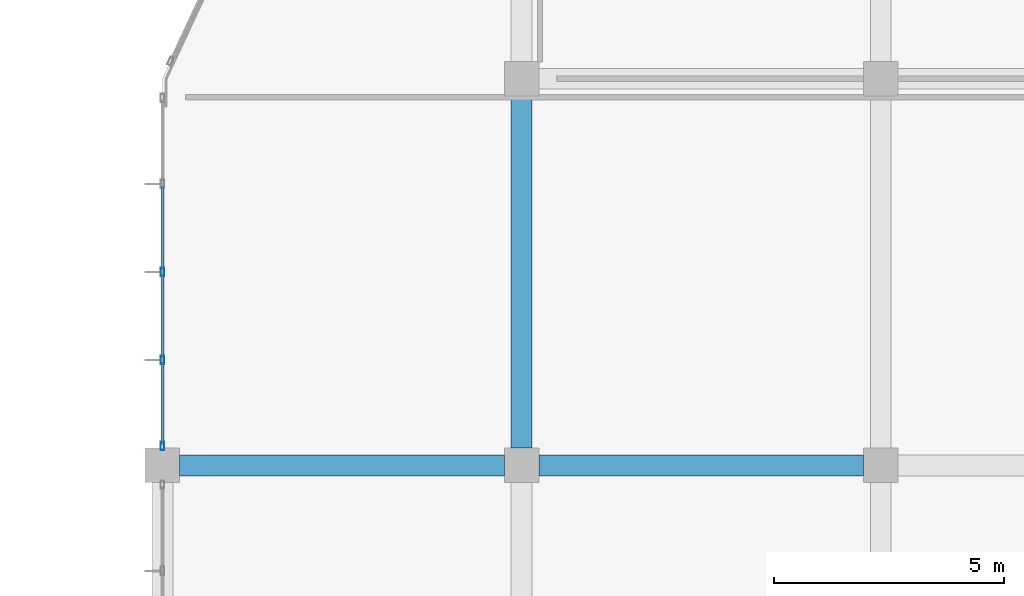
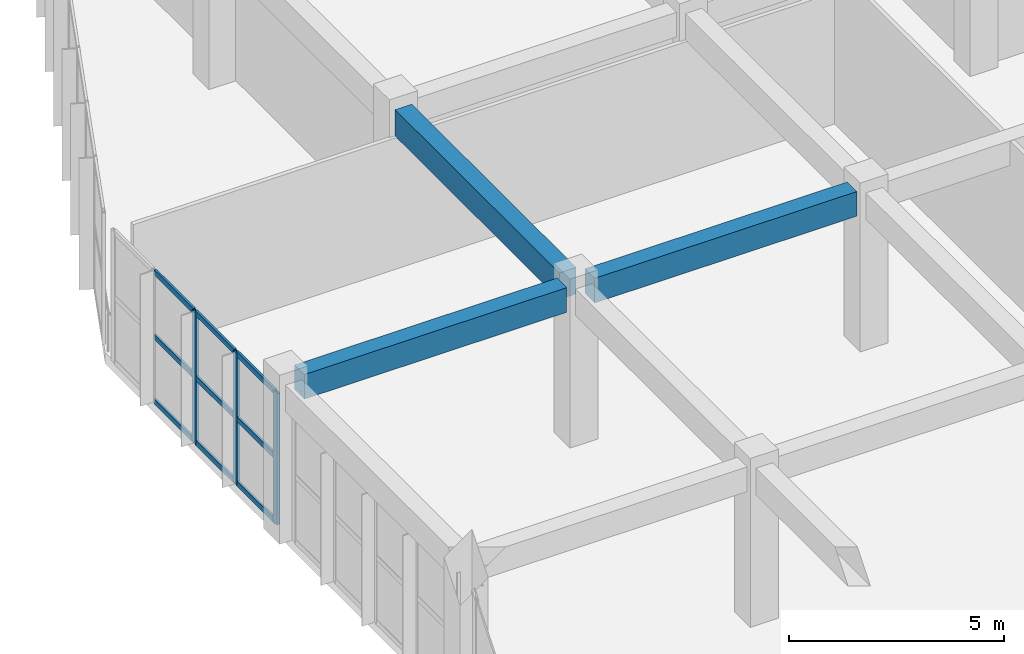
# One storey, part 18 of 167: 12 members, 3 beams, 1 element without a shape of its own.
"""IFC4 building model written with IfcOpenShell, lengths in metres."""

from ifc_helpers import new_model, si_unit, direction, frame, origin, origin_2d, place, context, subcontext, project, spatial, rectangle, hollow_rectangle, extrude, material, layer, layer_set, material_profile, profile_set, type_object, element, aggregate, save


model = new_model("IFC4")

# Units and contexts
model_context = context("Model", 3, precision=1e-05, world=origin(), true_north=direction((0.0, 1.0)))
body_context = subcontext(model_context, "Body", "Model", "MODEL_VIEW")
ifc_project = project(units=[si_unit("LENGTHUNIT", "METRE"), si_unit("AREAUNIT", "SQUARE_METRE"), si_unit("VOLUMEUNIT", "CUBIC_METRE"), si_unit("PLANEANGLEUNIT", "RADIAN"), si_unit("MASSUNIT", "GRAM", prefix="KILO")], contexts=[model_context])

# Site, building, storey
site_placement = place(None, origin())
site = spatial("IfcSite", under=ifc_project, at=site_placement, CompositionType="ELEMENT")
building_placement = place(site_placement, origin())
building = spatial("IfcBuilding", under=site, at=building_placement, Name="Zizhar Promenade General Hospital", CompositionType="ELEMENT")
storey_placement = place(building_placement, frame((0.0, 0.0, 9.60009765625)))
storey = spatial("IfcBuildingStorey", under=building, at=storey_placement, Name="L02", CompositionType="ELEMENT", Elevation=9.60009765625)

# Beams
ifc_material_1 = material(Name="Concrete C35/45", Category="concrete")
ifc_material_profile_1 = material_profile(ifc_material_1, rectangle(XDim=0.449951171875, YDim=0.699951171875, at=origin_2d()))
ifc_profile_set_1 = profile_set([ifc_material_profile_1], Name="Concrete C35/45")
beam_type_1 = type_object("IfcBeamType", Name="BM-RC-450x700", PredefinedType="BEAM", material=ifc_profile_set_1)
for number, where, z_axis, x_axis, name in (
    (1, (0.375, 42.0, 4.119873046875), (1.0, 0.0, 0.0), (0.0, 1.0, 0.0), "Grid Beam X L02 (0-5)"),
    (2, (8.175048828125, 42.0, 4.119873046875), (1.0, 0.0, 0.0), (0.0, 1.0, 0.0), "Grid Beam X L02 (1-5)"),
):
    element("IfcBeam", number, at=place(storey_placement, frame(where, z_axis=z_axis, x_axis=x_axis)), inside=storey, type_object=beam_type_1, Name=name, PredefinedType="BEAM", context=body_context, shape_type="SweptSolid", body=[
        extrude(rectangle(XDim=0.449951171875, YDim=0.699951171875, at=origin_2d()), origin(), (0.0, 0.0, 1.0), 7.050048828125),
    ])
ifc_material_2 = material(Name="Concrete C35/45", Category="concrete")
ifc_material_profile_2 = material_profile(ifc_material_2, rectangle(XDim=0.449951171875, YDim=0.75, at=origin_2d()))
ifc_profile_set_2 = profile_set([ifc_material_profile_2], Name="Concrete C35/45")
beam_type_2 = type_object("IfcBeamType", Name="BM-RC-450x750", PredefinedType="BEAM", material=ifc_profile_set_2)
beam_placement = place(storey_placement, frame((7.800048828125, 42.375, 4.094970703125), z_axis=(0.0, 1.0, 0.0), x_axis=(-1.0, 0.0, 0.0)))
element("IfcBeam", 3, at=beam_placement, inside=storey, type_object=beam_type_2, Name="Grid Beam Y L02 (1-5)", PredefinedType="BEAM", context=body_context, shape_type="SweptSolid", body=[
    extrude(rectangle(XDim=0.449951171875, YDim=0.75, at=origin_2d()), origin(), (0.0, 0.0, 1.0), 7.64990234375),
])

# Curtain wall, members
ifc_material_3 = material(Name="Anodised aluminium 6063-T6 and low-E glass", Category="aluminium")
ifc_layer = layer(ifc_material_3, 0.159912109375)
ifc_layer_set = layer_set([ifc_layer], Name="Anodised aluminium 6063-T6 and low-E glass")
curtain_wall_type = type_object("IfcCurtainWallType", Name="CW-ED-FRONT", PredefinedType="NOTDEFINED", material=ifc_layer_set)
curtain_wall_placement = place(storey_placement, origin())
curtain_wall = element("IfcCurtainWall", 4, at=curtain_wall_placement, inside=storey, type_object=curtain_wall_type, Name="West Diagnostic Arm Glazed Curtain Wall L02-W5", PredefinedType="NOTDEFINED")
ifc_material_4 = material(Name="Anodised aluminium 6063-T6", Category="aluminium")
ifc_material_profile_3 = material_profile(ifc_material_4, hollow_rectangle(XDim=0.080078125, YDim=0.179931640625, WallThickness=0.0048828125, at=origin_2d()))
ifc_profile_set_3 = profile_set([ifc_material_profile_3], Name="Anodised aluminium 6063-T6")
member_type_1 = type_object("IfcMemberType", Name="CWM-ALU-180x80", PredefinedType="MULLION", material=ifc_profile_set_3)
member_1_placement = place(storey_placement, frame((0.0, 42.419921875, 0.0), z_axis=(0.0, 0.0, 1.0), x_axis=(-1.0, 0.0, 0.0)))
member_1 = element("IfcMember", 5, at=member_1_placement, type_object=member_type_1, Name="CW-06 mullion 1", PredefinedType="MULLION", context=body_context, shape_type="SweptSolid", body=[
    extrude(hollow_rectangle(XDim=0.080078125, YDim=0.179931640625, WallThickness=0.0048828125, at=origin_2d()), origin(), (0.0, 0.0, 1.0), 3.72998046875),
])
member_2_placement = place(storey_placement, frame((0.0, 44.2900390625, 0.0), z_axis=(0.0, 0.0, 1.0), x_axis=(-1.0, 0.0, 0.0)))
member_2 = element("IfcMember", 6, at=member_2_placement, type_object=member_type_1, Name="CW-06 mullion 2", PredefinedType="MULLION", context=body_context, shape_type="SweptSolid", body=[
    extrude(hollow_rectangle(XDim=0.080078125, YDim=0.179931640625, WallThickness=0.0048828125, at=origin_2d()), origin(), (0.0, 0.0, 1.0), 3.72998046875),
])
member_3_placement = place(storey_placement, frame((0.0, 46.199951171875, 0.0), z_axis=(0.0, 0.0, 1.0), x_axis=(-1.0, 0.0, 0.0)))
member_3 = element("IfcMember", 7, at=member_3_placement, type_object=member_type_1, Name="CW-06 mullion 3", PredefinedType="MULLION", context=body_context, shape_type="SweptSolid", body=[
    extrude(hollow_rectangle(XDim=0.080078125, YDim=0.179931640625, WallThickness=0.0048828125, at=origin_2d()), origin(), (0.0, 0.0, 1.0), 3.72998046875),
])
ifc_material_5 = material(Name="Anodised aluminium 6063-T6", Category="aluminium")
ifc_material_profile_4 = material_profile(ifc_material_5, hollow_rectangle(XDim=0.06005859375, YDim=0.14990234375, WallThickness=0.00390625, at=origin_2d()))
ifc_profile_set_4 = profile_set([ifc_material_profile_4], Name="Anodised aluminium 6063-T6")
member_type_2 = type_object("IfcMemberType", Name="CWT-ALU-150x60", PredefinedType="USERDEFINED", material=ifc_profile_set_4)
member_4_placement = place(storey_placement, frame((0.0, 42.4599609375, 0.02978515625), z_axis=(0.0, 1.0, 0.0), x_axis=(-1.0, 0.0, 0.0)))
member_4 = element("IfcMember", 8, at=member_4_placement, type_object=member_type_2, Name="CW-06 transom 1.1", ObjectType="TRANSOM", PredefinedType="USERDEFINED", context=body_context, shape_type="SweptSolid", body=[
    extrude(hollow_rectangle(XDim=0.06005859375, YDim=0.14990234375, WallThickness=0.00390625, at=origin_2d()), origin(), (0.0, 0.0, 1.0), 1.7900390625),
])
member_5_placement = place(storey_placement, frame((0.0, 42.4599609375, 1.864990234375), z_axis=(0.0, 1.0, 0.0), x_axis=(-1.0, 0.0, 0.0)))
member_5 = element("IfcMember", 9, at=member_5_placement, type_object=member_type_2, Name="CW-06 transom 1.2", ObjectType="TRANSOM", PredefinedType="USERDEFINED", context=body_context, shape_type="SweptSolid", body=[
    extrude(hollow_rectangle(XDim=0.06005859375, YDim=0.14990234375, WallThickness=0.00390625, at=origin_2d()), origin(), (0.0, 0.0, 1.0), 1.7900390625),
])
member_6_placement = place(storey_placement, frame((0.0, 42.4599609375, 3.699951171875), z_axis=(0.0, 1.0, 0.0), x_axis=(-1.0, 0.0, 0.0)))
member_6 = element("IfcMember", 10, at=member_6_placement, type_object=member_type_2, Name="CW-06 transom 1.3", ObjectType="TRANSOM", PredefinedType="USERDEFINED", context=body_context, shape_type="SweptSolid", body=[
    extrude(hollow_rectangle(XDim=0.06005859375, YDim=0.14990234375, WallThickness=0.00390625, at=origin_2d()), origin(), (0.0, 0.0, 1.0), 1.7900390625),
])
member_7_placement = place(storey_placement, frame((0.0, 44.330078125, 0.02978515625), z_axis=(0.0, 1.0, 0.0), x_axis=(-1.0, 0.0, 0.0)))
member_7 = element("IfcMember", 11, at=member_7_placement, type_object=member_type_2, Name="CW-06 transom 2.1", ObjectType="TRANSOM", PredefinedType="USERDEFINED", context=body_context, shape_type="SweptSolid", body=[
    extrude(hollow_rectangle(XDim=0.06005859375, YDim=0.14990234375, WallThickness=0.00390625, at=origin_2d()), origin(), (0.0, 0.0, 1.0), 1.829833984375),
])
member_8_placement = place(storey_placement, frame((0.0, 44.330078125, 1.864990234375), z_axis=(0.0, 1.0, 0.0), x_axis=(-1.0, 0.0, 0.0)))
member_8 = element("IfcMember", 12, at=member_8_placement, type_object=member_type_2, Name="CW-06 transom 2.2", ObjectType="TRANSOM", PredefinedType="USERDEFINED", context=body_context, shape_type="SweptSolid", body=[
    extrude(hollow_rectangle(XDim=0.06005859375, YDim=0.14990234375, WallThickness=0.00390625, at=origin_2d()), origin(), (0.0, 0.0, 1.0), 1.829833984375),
])
member_9_placement = place(storey_placement, frame((0.0, 44.330078125, 3.699951171875), z_axis=(0.0, 1.0, 0.0), x_axis=(-1.0, 0.0, 0.0)))
member_9 = element("IfcMember", 13, at=member_9_placement, type_object=member_type_2, Name="CW-06 transom 2.3", ObjectType="TRANSOM", PredefinedType="USERDEFINED", context=body_context, shape_type="SweptSolid", body=[
    extrude(hollow_rectangle(XDim=0.06005859375, YDim=0.14990234375, WallThickness=0.00390625, at=origin_2d()), origin(), (0.0, 0.0, 1.0), 1.829833984375),
])
member_10_placement = place(storey_placement, frame((0.0, 46.239990234375, 0.02978515625), z_axis=(0.0, 1.0, 0.0), x_axis=(-1.0, 0.0, 0.0)))
member_10 = element("IfcMember", 14, at=member_10_placement, type_object=member_type_2, Name="CW-06 transom 3.1", ObjectType="TRANSOM", PredefinedType="USERDEFINED", context=body_context, shape_type="SweptSolid", body=[
    extrude(hollow_rectangle(XDim=0.06005859375, YDim=0.14990234375, WallThickness=0.00390625, at=origin_2d()), origin(), (0.0, 0.0, 1.0), 1.830078125),
])
member_11_placement = place(storey_placement, frame((0.0, 46.239990234375, 1.864990234375), z_axis=(0.0, 1.0, 0.0), x_axis=(-1.0, 0.0, 0.0)))
member_11 = element("IfcMember", 15, at=member_11_placement, type_object=member_type_2, Name="CW-06 transom 3.2", ObjectType="TRANSOM", PredefinedType="USERDEFINED", context=body_context, shape_type="SweptSolid", body=[
    extrude(hollow_rectangle(XDim=0.06005859375, YDim=0.14990234375, WallThickness=0.00390625, at=origin_2d()), origin(), (0.0, 0.0, 1.0), 1.830078125),
])
member_12_placement = place(storey_placement, frame((0.0, 46.239990234375, 3.699951171875), z_axis=(0.0, 1.0, 0.0), x_axis=(-1.0, 0.0, 0.0)))
member_12 = element("IfcMember", 16, at=member_12_placement, type_object=member_type_2, Name="CW-06 transom 3.3", ObjectType="TRANSOM", PredefinedType="USERDEFINED", context=body_context, shape_type="SweptSolid", body=[
    extrude(hollow_rectangle(XDim=0.06005859375, YDim=0.14990234375, WallThickness=0.00390625, at=origin_2d()), origin(), (0.0, 0.0, 1.0), 1.830078125),
])
aggregate(curtain_wall, [member_1, member_2, member_3, member_4, member_5, member_6, member_7, member_8, member_9, member_10, member_11, member_12])

save(model, "model.ifc")
